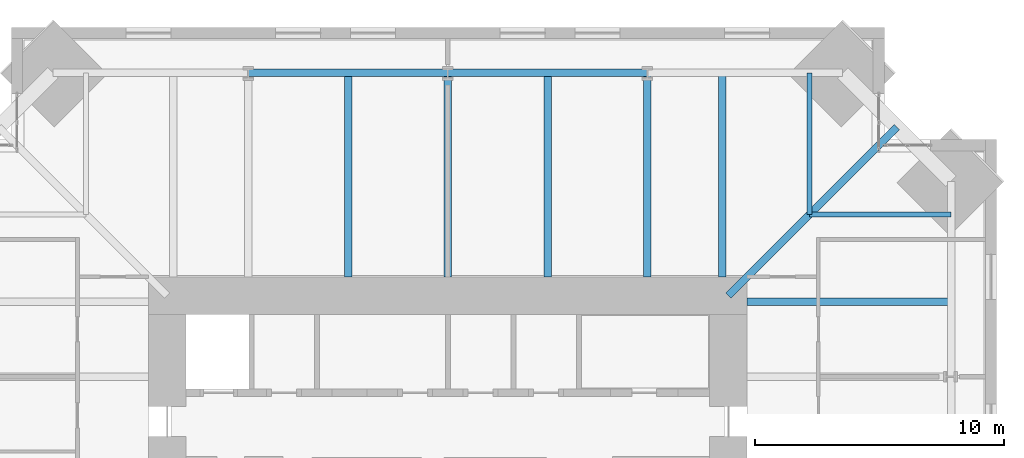
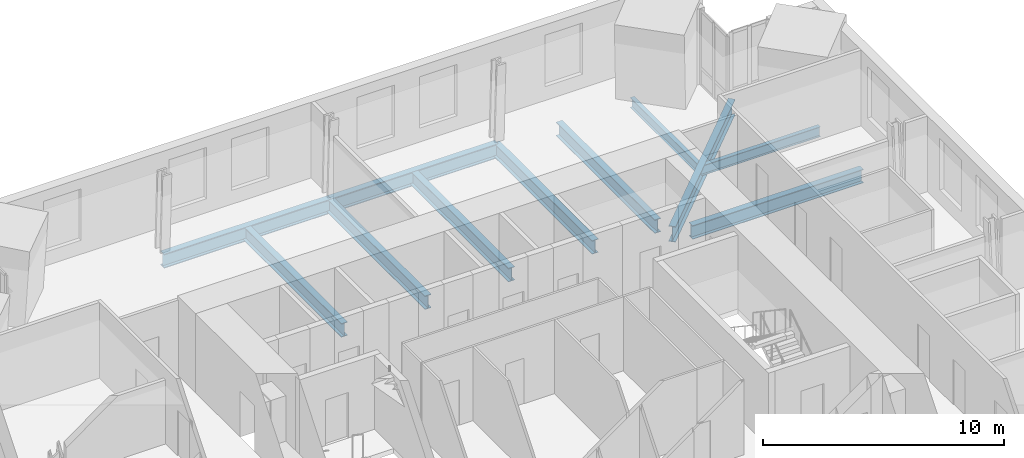
# One storey, part 7 of 16: 11 beams.
"""IFC4 building model written with IfcOpenShell, lengths in metres."""

from ifc_helpers import new_model, si_unit, direction, frame, origin, origin_2d, place, context, subcontext, project, spatial, i_section, extrude, material, material_profile, profile_set, type_object, element, save


model = new_model("IFC4")

# Units and contexts
model_context = context("Model", 3, precision=1e-05, world=origin(), true_north=direction((0.0, 1.0)))
body_context = subcontext(model_context, "Body", "Model", "MODEL_VIEW")
ifc_project = project(units=[si_unit("LENGTHUNIT", "METRE"), si_unit("AREAUNIT", "SQUARE_METRE"), si_unit("VOLUMEUNIT", "CUBIC_METRE"), si_unit("PLANEANGLEUNIT", "RADIAN"), si_unit("MASSUNIT", "GRAM", prefix="KILO")], contexts=[model_context])

# Site, building, storey
site_placement = place(None, origin())
site = spatial("IfcSite", under=ifc_project, at=site_placement, CompositionType="ELEMENT")
building_placement = place(site_placement, origin())
building = spatial("IfcBuilding", under=site, at=building_placement, Name="Peilmerk Tower", CompositionType="ELEMENT")
storey_placement = place(building_placement, frame((0.0, 0.0, 265.800048828125)))
storey = spatial("IfcBuildingStorey", under=building, at=storey_placement, Name="L59", CompositionType="ELEMENT", Elevation=265.800048828125)

# Beams
ifc_material = material(Name="Steel S355", Category="steel")
ifc_material_profile_1 = material_profile(ifc_material, i_section(OverallWidth=0.300048828125, OverallDepth=0.68994140625, WebThickness=0.014404296875, FlangeThickness=0.027099609375, at=origin_2d()), Name="HEA 700")
ifc_profile_set_1 = profile_set([ifc_material_profile_1], Name="Steel S355")
beam_type_1 = type_object("IfcBeamType", Name="B16 HEA 700 floor beam", PredefinedType="BEAM", material=ifc_profile_set_1)
for number, where, z_axis, x_axis, name in (
    (1, (11.0, 12.0, -0.51513671875), (0.0, 1.0, 0.0), (-1.0, 0.0, 0.0), "Floor beam L59"),
    (2, (8.0, 12.0, -0.51513671875), (0.0, 1.0, 0.0), (-1.0, 0.0, 0.0), "Floor beam L59"),
    (3, (4.0, 12.0, -0.51513671875), (0.0, 1.0, 0.0), (-1.0, 0.0, 0.0), "Floor beam L59"),
    (4, (0.0, 12.0, -0.51513671875), (0.0, 1.0, 0.0), (-1.0, 0.0, 0.0), "Floor beam L59"),
    (5, (-4.0, 12.0, -0.51513671875), (0.0, 1.0, 0.0), (-1.0, 0.0, 0.0), "Floor beam L59"),
    (6, (12.0, 11.0, -0.51513671875), (1.0, 0.0, 0.0), (0.0, 1.0, 0.0), "Floor beam L59"),
):
    element("IfcBeam", number, at=place(storey_placement, frame(where, z_axis=z_axis, x_axis=x_axis)), inside=storey, type_object=beam_type_1, Name=name, PredefinedType="BEAM", context=body_context, shape_type="SweptSolid", body=[
        extrude(i_section(OverallWidth=0.300048828125, OverallDepth=0.68994140625, WebThickness=0.014404296875, FlangeThickness=0.027099609375, at=origin_2d()), origin(), (0.0, 0.0, 1.0), 8.178955078125),
    ])
ifc_material_profile_2 = material_profile(ifc_material, i_section(OverallWidth=0.300048828125, OverallDepth=0.7900390625, WebThickness=0.014892578125, FlangeThickness=0.028076171875, at=origin_2d()), Name="HEA 800")
ifc_profile_set_2 = profile_set([ifc_material_profile_2], Name="Steel S355")
beam_type_2 = type_object("IfcBeamType", Name="B3 HEA 800 floor beam", PredefinedType="BEAM", material=ifc_profile_set_2)
beam_placement = place(storey_placement, frame((11.25, 11.25, -0.56494140625), z_axis=(0.707106781187, 0.707106781187, 0.0), x_axis=(-0.707106781187, 0.707106781187, 0.0)))
element("IfcBeam", 7, at=beam_placement, inside=storey, type_object=beam_type_2, Name="Corner girder L59", PredefinedType="BEAM", context=body_context, shape_type="SweptSolid", body=[
    extrude(i_section(OverallWidth=0.300048828125, OverallDepth=0.7900390625, WebThickness=0.014892578125, FlangeThickness=0.028076171875, at=origin_2d()), origin(), (0.0, 0.0, 1.0), 9.5517578125),
])
ifc_material_profile_3 = material_profile(ifc_material, i_section(OverallWidth=0.303955078125, OverallDepth=0.716064453125, WebThickness=0.02099609375, FlangeThickness=0.0400390625, at=origin_2d()), Name="HEM 700")
ifc_profile_set_3 = profile_set([ifc_material_profile_3], Name="Steel S355")
beam_type_3 = type_object("IfcBeamType", Name="B30 HEM 700 edge beam", PredefinedType="SPANDREL", material=ifc_profile_set_3)
for number, where, z_axis, x_axis, name in (
    (8, (8.0, 20.178955078125, -0.528076171875), (-1.0, 0.0, 0.0), (0.0, -1.0, 0.0), "Edge beam L59"),
    (9, (0.0, 20.178955078125, -0.528076171875), (-1.0, 0.0, 0.0), (0.0, -1.0, 0.0), "Edge beam L59"),
):
    element("IfcBeam", number, at=place(storey_placement, frame(where, z_axis=z_axis, x_axis=x_axis)), inside=storey, type_object=beam_type_3, Name=name, PredefinedType="SPANDREL", context=body_context, shape_type="SweptSolid", body=[
        extrude(i_section(OverallWidth=0.303955078125, OverallDepth=0.716064453125, WebThickness=0.02099609375, FlangeThickness=0.0400390625, at=origin_2d()), origin(), (0.0, 0.0, 1.0), 8.0),
    ])
ifc_material_profile_4 = material_profile(ifc_material, i_section(OverallWidth=0.199951171875, OverallDepth=0.5, WebThickness=0.01025390625, FlangeThickness=0.01611328125, at=origin_2d()), Name="IPE 500")
ifc_profile_set_4 = profile_set([ifc_material_profile_4], Name="Steel S355")
beam_type_4 = type_object("IfcBeamType", Name="B32 IPE 500 floor beam", PredefinedType="BEAM", material=ifc_profile_set_4)
for number, where, z_axis, x_axis, name in (
    (10, (14.5, 14.5, -0.420166015625), (0.0, 1.0, 0.0), (-1.0, 0.0, 0.0), "Floor beam L59"),
    (11, (14.5, 14.5, -0.420166015625), (1.0, 0.0, 0.0), (0.0, 1.0, 0.0), "Floor beam L59"),
):
    element("IfcBeam", number, at=place(storey_placement, frame(where, z_axis=z_axis, x_axis=x_axis)), inside=storey, type_object=beam_type_4, Name=name, PredefinedType="BEAM", context=body_context, shape_type="SweptSolid", body=[
        extrude(i_section(OverallWidth=0.199951171875, OverallDepth=0.5, WebThickness=0.01025390625, FlangeThickness=0.01611328125, at=origin_2d()), origin(), (0.0, 0.0, 1.0), 5.678955078125),
    ])

save(model, "model.ifc")
